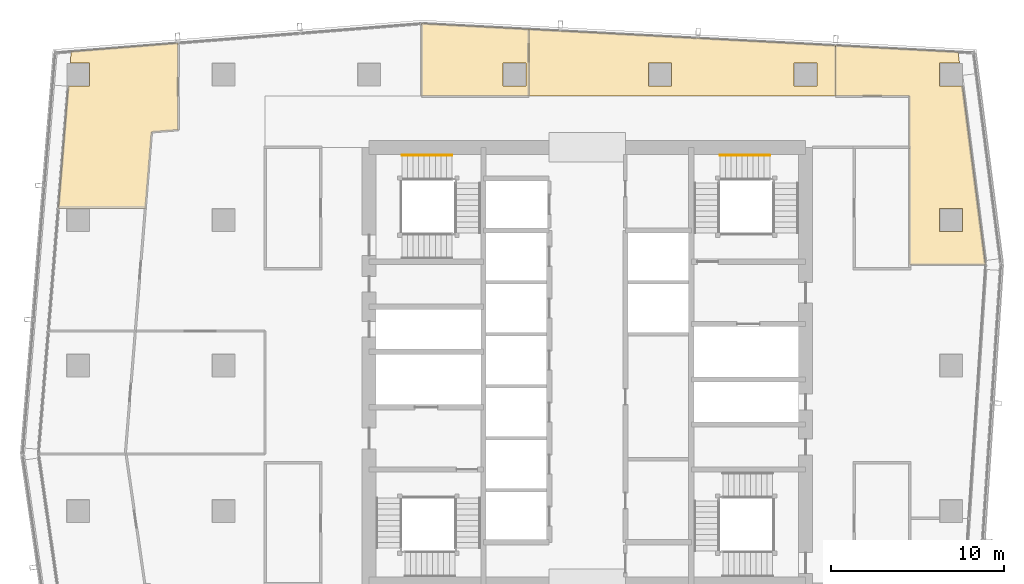
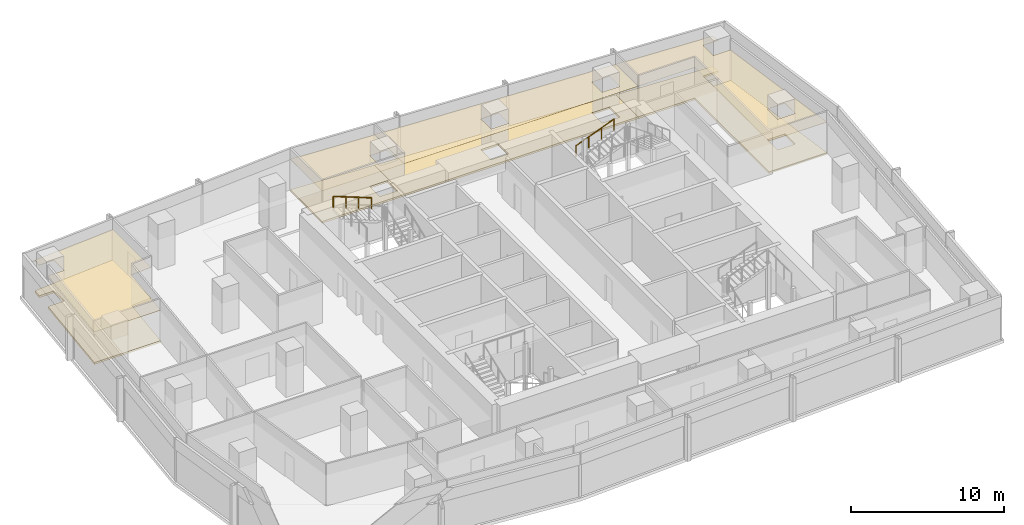
# One storey, part 30 of 30: 8 coverings, 2 railings.
"""IFC4 building model written with IfcOpenShell, lengths in metres."""

from ifc_helpers import new_model, si_unit, direction, frame, origin, origin_2d, place, context, subcontext, project, spatial, polyline, circle, outline, extrude, material, layer, layer_set, type_object, element, save


model = new_model("IFC4")

# Units and contexts
model_context = context("Model", 3, precision=1e-05, world=origin(), true_north=direction((0.0, 1.0)))
body_context = subcontext(model_context, "Body", "Model", "MODEL_VIEW")
ifc_project = project(units=[si_unit("LENGTHUNIT", "METRE"), si_unit("AREAUNIT", "SQUARE_METRE"), si_unit("VOLUMEUNIT", "CUBIC_METRE"), si_unit("PLANEANGLEUNIT", "RADIAN"), si_unit("MASSUNIT", "GRAM", prefix="KILO")], contexts=[model_context])

# Site, building, storey
site_placement = place(None, origin())
site = spatial("IfcSite", under=ifc_project, at=site_placement, CompositionType="ELEMENT")
building_placement = place(site_placement, origin())
building = spatial("IfcBuilding", under=site, at=building_placement, Name="Rekha Terrace Tower", CompositionType="ELEMENT")
storey_placement = place(building_placement, frame((0.0, 0.0, 265.10009765625)))
storey = spatial("IfcBuildingStorey", under=building, at=storey_placement, Name="L67", CompositionType="ELEMENT", Elevation=265.10009765625)

# Coverings
ifc_material_1 = material(Name="Mineral fibre tile in exposed grid", Category="finish")
ifc_layer_1 = layer(ifc_material_1, 0.02001953125)
ifc_layer_set_1 = layer_set([ifc_layer_1], Name="Mineral fibre tile in exposed grid")
covering_type_1 = type_object("IfcCoveringType", Name="CL1 600x1200 office grid ceiling", PredefinedType="CEILING", material=ifc_layer_set_1)
covering_1_placement = place(storey_placement, frame((0.0, 0.0, 2.579833984375)))
element("IfcCovering", 1, at=covering_1_placement, inside=storey, type_object=covering_type_1, Name="Ceiling L67-03", PredefinedType="CEILING", context=body_context, shape_type="SweptSolid", body=[
    extrude(outline(polyline([(56.39990234375, 49.14990234375), (56.39990234375, 39.43994140625), (60.781005859375, 39.43994140625), (59.4541015625, 49.735107421875), (58.135009765625, 49.735107421875), (58.135009765625, 51.06494140625), (59.282958984375, 51.06494140625), (59.199951171875, 51.7060546875), (52.123046875, 52.08203125), (52.123046875, 49.14990234375), (56.39990234375, 49.14990234375)]), holes=[polyline([(59.465087890625, 41.3349609375), (58.135009765625, 41.3349609375), (58.135009765625, 42.6650390625), (59.465087890625, 42.6650390625), (59.465087890625, 41.3349609375)])]), origin(), (0.0, 0.0, 1.0), 0.02001953125),
])
covering_2_placement = place(storey_placement, frame((0.0, 0.0, 2.579833984375)))
element("IfcCovering", 2, at=covering_2_placement, inside=storey, type_object=covering_type_1, Name="Ceiling L67-04", PredefinedType="CEILING", context=body_context, shape_type="SweptSolid", body=[
    extrude(outline(polyline([(28.238037109375, 49.14990234375), (34.4169921875, 49.14990234375), (34.4169921875, 53.02294921875), (28.238037109375, 53.35205078125), (28.238037109375, 49.14990234375)]), holes=[polyline([(34.264892578125, 49.735107421875), (32.93505859375, 49.735107421875), (32.93505859375, 51.06494140625), (34.264892578125, 51.06494140625), (34.264892578125, 49.735107421875)])]), origin(), (0.0, 0.0, 1.0), 0.02001953125),
])
covering_3_placement = place(storey_placement, frame((0.0, 0.0, 2.579833984375)))
element("IfcCovering", 3, at=covering_3_placement, inside=storey, type_object=covering_type_1, Name="Ceiling L67-05", PredefinedType="CEILING", context=body_context, shape_type="SweptSolid", body=[
    extrude(outline(polyline([(7.26611328125, 42.656982421875), (7.735107421875, 42.656982421875), (7.735107421875, 42.6650390625), (9.06494140625, 42.6650390625), (9.06494140625, 42.656982421875), (12.281982421875, 42.656982421875), (12.64306640625, 47.0869140625), (14.180908203125, 47.2099609375), (14.180908203125, 52.22607421875), (8.00390625, 51.73291015625), (7.949951171875, 51.06494140625), (9.06494140625, 51.06494140625), (9.06494140625, 49.735107421875), (7.842041015625, 49.735107421875), (7.26611328125, 42.656982421875)])), origin(), (0.0, 0.0, 1.0), 0.02001953125),
])
covering_4_placement = place(storey_placement, frame((0.0, 0.0, 2.579833984375)))
element("IfcCovering", 4, at=covering_4_placement, inside=storey, type_object=covering_type_1, Name="Ceiling L67-O1", PredefinedType="CEILING", context=body_context, shape_type="SweptSolid", body=[
    extrude(outline(polyline([(34.4169921875, 49.14990234375), (52.123046875, 49.14990234375), (52.123046875, 52.08203125), (34.4169921875, 53.02294921875), (34.4169921875, 49.14990234375)]), holes=[polyline([(51.06494140625, 51.06494140625), (51.06494140625, 49.735107421875), (49.735107421875, 49.735107421875), (49.735107421875, 51.06494140625), (51.06494140625, 51.06494140625)]), polyline([(42.6650390625, 49.735107421875), (41.3349609375, 49.735107421875), (41.3349609375, 51.06494140625), (42.6650390625, 51.06494140625), (42.6650390625, 49.735107421875)])]), origin(), (0.0, 0.0, 1.0), 0.02001953125),
])

# Railings
ifc_material_2 = material(Name="Stainless steel tube", Category="steel")
railing_type = type_object("IfcRailingType", Name="HR1 900 stair handrail", PredefinedType="HANDRAIL", material=ifc_material_2)
railing_1_placement = place(storey_placement, frame((45.449951171875, 45.739990234375, 1.375)))
element("IfcRailing", 5, at=railing_1_placement, inside=storey, type_object=railing_type, Name="Handrail ST2 L67 flight 2", PredefinedType="HANDRAIL", context=body_context, shape_type="SweptSolid", body=[
    extrude(circle(Radius=0.02392578125, at=origin_2d()), frame((0.0, 0.0, 0.8759765625), z_axis=(0.931462784923, 0.0, 0.363836612098), x_axis=(0.0, 1.0, 0.0)), (0.0, 0.0, 1.0), 3.092041015625),
    extrude(circle(Radius=0.02099609375, at=origin_2d()), origin(), (0.0, 0.0, 1.0), 0.851806640625),
    extrude(circle(Radius=0.02099609375, at=origin_2d()), frame((0.9599609375, 0.0, 0.375)), (0.0, 0.0, 1.0), 0.851806640625),
    extrude(circle(Radius=0.02099609375, at=origin_2d()), frame((1.920166015625, 0.0, 0.75)), (0.0, 0.0, 1.0), 0.851806640625),
    extrude(circle(Radius=0.02099609375, at=origin_2d()), frame((2.880126953125, 0.0, 1.125)), (0.0, 0.0, 1.0), 0.851806640625),
])
railing_2_placement = place(storey_placement, frame((29.97998046875, 45.739990234375, 2.625)))
element("IfcRailing", 6, at=railing_2_placement, inside=storey, type_object=railing_type, Name="Handrail ST4 L67 flight 3", PredefinedType="HANDRAIL", context=body_context, shape_type="SweptSolid", body=[
    extrude(circle(Radius=0.02392578125, at=origin_2d()), frame((0.0, 0.0, 0.8759765625), z_axis=(-0.931452331594, 0.0, 0.363863372667), x_axis=(0.0, -1.0, 0.0)), (0.0, 0.0, 1.0), 3.091796875),
    extrude(circle(Radius=0.02099609375, at=origin_2d()), origin(), (0.0, 0.0, 1.0), 0.851806640625),
    extrude(circle(Radius=0.02099609375, at=origin_2d()), frame((-0.9599609375, 0.0, 0.375)), (0.0, 0.0, 1.0), 0.851806640625),
    extrude(circle(Radius=0.02099609375, at=origin_2d()), frame((-1.919921875, 0.0, 0.75)), (0.0, 0.0, 1.0), 0.851806640625),
    extrude(circle(Radius=0.02099609375, at=origin_2d()), frame((-2.8798828125, 0.0, 1.125)), (0.0, 0.0, 1.0), 0.851806640625),
])

# Coverings
ifc_material_3 = material(Name="Calcium sulphate panels on steel pedestals", Category="steel")
ifc_layer_2 = layer(ifc_material_3, 0.14990234375)
ifc_layer_set_2 = layer_set([ifc_layer_2], Name="Calcium sulphate panels on steel pedestals")
covering_type_2 = type_object("IfcCoveringType", Name="RF1 150 raised access floor", PredefinedType="FLOORING", material=ifc_layer_set_2)
covering_5_placement = place(storey_placement, origin())
element("IfcCovering", 7, at=covering_5_placement, inside=storey, type_object=covering_type_2, Name="Raised floor L67-03", PredefinedType="FLOORING", context=body_context, shape_type="SweptSolid", body=[
    extrude(outline(polyline([(56.39990234375, 49.14990234375), (56.39990234375, 39.43994140625), (60.781005859375, 39.43994140625), (59.4541015625, 49.735107421875), (58.135009765625, 49.735107421875), (58.135009765625, 51.06494140625), (59.282958984375, 51.06494140625), (59.199951171875, 51.7060546875), (52.123046875, 52.08203125), (52.123046875, 49.14990234375), (56.39990234375, 49.14990234375)]), holes=[polyline([(59.465087890625, 41.3349609375), (58.135009765625, 41.3349609375), (58.135009765625, 42.6650390625), (59.465087890625, 42.6650390625), (59.465087890625, 41.3349609375)])]), origin(), (0.0, 0.0, 1.0), 0.14990234375),
])
covering_6_placement = place(storey_placement, origin())
element("IfcCovering", 8, at=covering_6_placement, inside=storey, type_object=covering_type_2, Name="Raised floor L67-04", PredefinedType="FLOORING", context=body_context, shape_type="SweptSolid", body=[
    extrude(outline(polyline([(28.238037109375, 49.14990234375), (34.4169921875, 49.14990234375), (34.4169921875, 53.02294921875), (28.238037109375, 53.35205078125), (28.238037109375, 49.14990234375)]), holes=[polyline([(34.264892578125, 49.735107421875), (32.93505859375, 49.735107421875), (32.93505859375, 51.06494140625), (34.264892578125, 51.06494140625), (34.264892578125, 49.735107421875)])]), origin(), (0.0, 0.0, 1.0), 0.14990234375),
])
covering_7_placement = place(storey_placement, origin())
element("IfcCovering", 9, at=covering_7_placement, inside=storey, type_object=covering_type_2, Name="Raised floor L67-05", PredefinedType="FLOORING", context=body_context, shape_type="SweptSolid", body=[
    extrude(outline(polyline([(7.26611328125, 42.656982421875), (7.735107421875, 42.656982421875), (7.735107421875, 42.6650390625), (9.06494140625, 42.6650390625), (9.06494140625, 42.656982421875), (12.281982421875, 42.656982421875), (12.64306640625, 47.0869140625), (14.180908203125, 47.2099609375), (14.180908203125, 52.22607421875), (8.00390625, 51.73291015625), (7.949951171875, 51.06494140625), (9.06494140625, 51.06494140625), (9.06494140625, 49.735107421875), (7.842041015625, 49.735107421875), (7.26611328125, 42.656982421875)])), origin(), (0.0, 0.0, 1.0), 0.14990234375),
])
covering_8_placement = place(storey_placement, origin())
element("IfcCovering", 10, at=covering_8_placement, inside=storey, type_object=covering_type_2, Name="Raised floor L67-O1", PredefinedType="FLOORING", context=body_context, shape_type="SweptSolid", body=[
    extrude(outline(polyline([(34.4169921875, 49.14990234375), (52.123046875, 49.14990234375), (52.123046875, 52.08203125), (34.4169921875, 53.02294921875), (34.4169921875, 49.14990234375)]), holes=[polyline([(51.06494140625, 51.06494140625), (51.06494140625, 49.735107421875), (49.735107421875, 49.735107421875), (49.735107421875, 51.06494140625), (51.06494140625, 51.06494140625)]), polyline([(42.6650390625, 49.735107421875), (41.3349609375, 49.735107421875), (41.3349609375, 51.06494140625), (42.6650390625, 51.06494140625), (42.6650390625, 49.735107421875)])]), origin(), (0.0, 0.0, 1.0), 0.14990234375),
])

save(model, "model.ifc")
